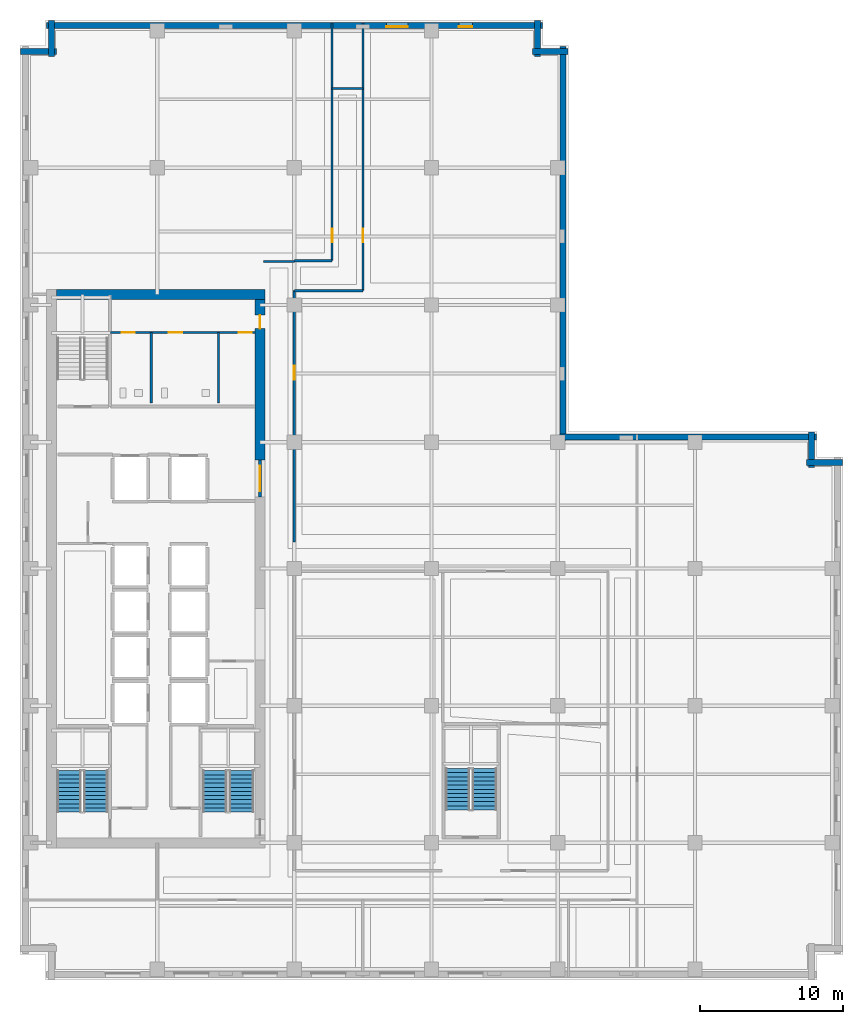
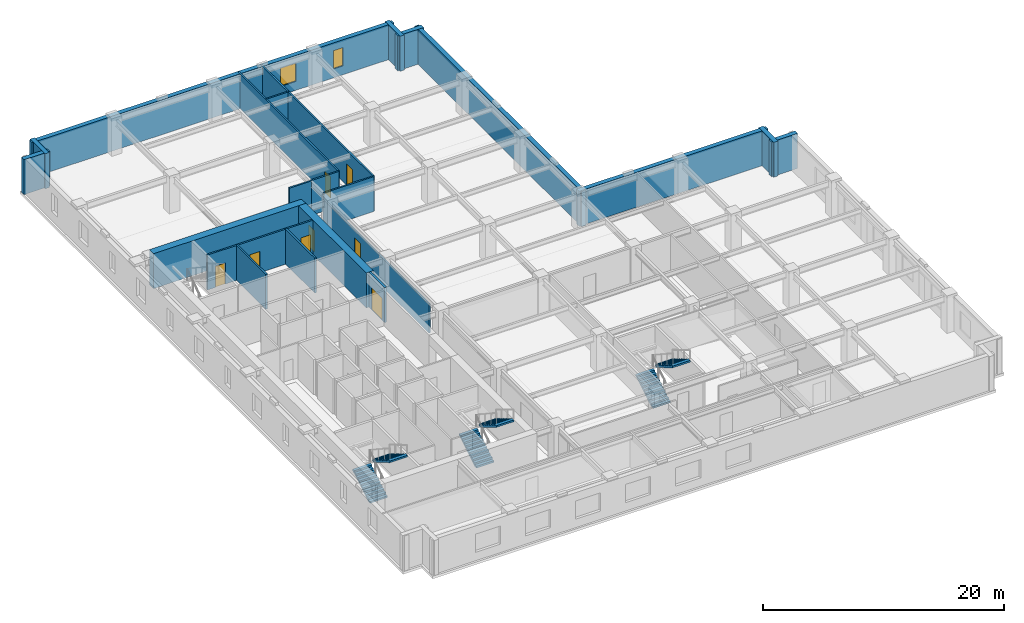
# One storey, part 7 of 13: 22 walls, 8 doors, 6 stair flights, 2 windows, 10 openings, 3 elements without a shape of their own.
"""IFC4 building model written with IfcOpenShell, lengths in metres."""

import ifcopenshell
import ifcopenshell.guid

model = None  # the IFC model being written
_history = None  # IfcOwnerHistory: only IFC2X3 demands one
_inside = {}  # id of a spatial element -> (the spatial element, [elements in it])
_under = {}  # id of a project, library or spatial element -> (it, [spatial elements below it])
_declared = {}  # id of a project -> (the project, [libraries it declares])
_typed = {}  # id of a type object -> (the type object, [elements of that type])
_made_of = {}  # id of a material, layer set ... -> (it, [elements and type objects made of it])


def new_model(schema):
    """Start an empty IFC model of exactly this schema.

    Asked for "IFC4X3", IfcOpenShell would pick the latest addendum, in which some entities
    have other attributes; the version numbers below select the first issue.
    IFC2X3 requires an IfcOwnerHistory on every rooted entity: one is made here for all.
    """
    global model, _history
    if schema == "IFC4X3":
        model = ifcopenshell.file(schema_version=(4, 3, 0, 0))
    else:
        model = ifcopenshell.file(schema=schema)
    _inside.clear()
    _under.clear()
    _declared.clear()
    _typed.clear()
    _made_of.clear()
    _history = None
    if model.schema == "IFC2X3":
        org = make("IfcOrganization", Name="unknown")
        user = make(
            "IfcPersonAndOrganization",
            ThePerson=make("IfcPerson", FamilyName="unknown"),
            TheOrganization=org,
        )
        app = make(
            "IfcApplication",
            ApplicationDeveloper=org,
            Version="unknown",
            ApplicationFullName="unknown",
            ApplicationIdentifier="unknown",
        )
        _history = make(
            "IfcOwnerHistory",
            OwningUser=user,
            OwningApplication=app,
            ChangeAction="ADDED",
            CreationDate=0,
        )
    return model


def make(cls, **values):
    """One entity of the class cls with the attributes given. An attribute that is None is left unset."""
    return model.create_entity(
        cls, **{name: value for name, value in values.items() if value is not None}
    )


def rooted(cls, **values):
    """An entity with a GlobalId (a new one), such as an element, a storey or a relation."""
    return make(cls, GlobalId=ifcopenshell.guid.new(), OwnerHistory=_history, **values)


def si_unit(unit_type, name, prefix=None):
    """IfcSIUnit, for example si_unit("LENGTHUNIT", "METRE", prefix="MILLI")."""
    return make("IfcSIUnit", UnitType=unit_type, Prefix=prefix, Name=name)


def assignment(units):
    """IfcUnitAssignment: the units of a project."""
    return None if units is None else make("IfcUnitAssignment", Units=units)


def point(xyz):
    """IfcCartesianPoint."""
    return None if xyz is None else make("IfcCartesianPoint", Coordinates=xyz)


def direction(xyz):
    """IfcDirection."""
    return None if xyz is None else make("IfcDirection", DirectionRatios=xyz)


def frame(location, z_axis=None, x_axis=None):
    """IfcAxis2Placement3D, a coordinate frame: its origin and axes. An axis left out is left unset."""
    return make(
        "IfcAxis2Placement3D",
        Location=point(location),
        Axis=direction(z_axis),
        RefDirection=direction(x_axis),
    )


def frame_2d(location, x_axis=None):
    """IfcAxis2Placement2D, a coordinate frame in the plane: its origin and x axis."""
    return make(
        "IfcAxis2Placement2D", Location=point(location), RefDirection=direction(x_axis)
    )


def origin():
    """The frame at (0, 0, 0) with its axes left unset."""
    return frame((0.0, 0.0, 0.0))


def place(relative_to, where):
    """IfcLocalPlacement: puts the frame where relative to a parent placement (None: the world)."""
    return make(
        "IfcLocalPlacement", PlacementRelTo=relative_to, RelativePlacement=where
    )


def context(
    kind, dimensions, precision=None, world=None, true_north=None, identifier=None
):
    """IfcGeometricRepresentationContext, for example the 3D "Model" context."""
    return make(
        "IfcGeometricRepresentationContext",
        ContextIdentifier=identifier,
        ContextType=kind,
        CoordinateSpaceDimension=dimensions,
        Precision=precision,
        WorldCoordinateSystem=world,
        TrueNorth=true_north,
    )


def subcontext(parent, identifier, kind, view, scale=None):
    """IfcGeometricRepresentationSubContext, for example "Body" below "Model"."""
    return make(
        "IfcGeometricRepresentationSubContext",
        ContextIdentifier=identifier,
        ContextType=kind,
        ParentContext=parent,
        TargetScale=scale,
        TargetView=view,
    )


def project(units=None, contexts=None):
    """IfcProject with its units and contexts."""
    return rooted(
        "IfcProject",
        Name="project",
        RepresentationContexts=contexts,
        UnitsInContext=assignment(units),
    )


def spatial(cls, under=None, at=None, **own):
    """A site, building, storey or space (cls), placed at a placement, below another one or the project."""
    s = rooted(cls, ObjectPlacement=at, **own)
    if under is not None:
        _under.setdefault(under.id(), (under, []))[1].append(s)
    return s


def polyline(points):
    """IfcPolyline through the points."""
    return make("IfcPolyline", Points=[point(p) for p in points])


def profile(cls, at=None, kind="AREA", **sizes):
    """A parametric profile (cls). Its sizes go by their IFC names, for example OverallWidth=200.0."""
    return make(cls, ProfileType=kind, Position=at, **sizes)


def rectangle(**sizes):
    """IfcRectangleProfileDef."""
    return profile("IfcRectangleProfileDef", **sizes)


def outline(outer, holes=None, kind="AREA"):
    """IfcArbitraryClosedProfileDef: a profile drawn as a closed curve; with holes, ...WithVoids."""
    if holes is None:
        return make("IfcArbitraryClosedProfileDef", ProfileType=kind, OuterCurve=outer)
    return make(
        "IfcArbitraryProfileDefWithVoids",
        ProfileType=kind,
        OuterCurve=outer,
        InnerCurves=holes,
    )


def extrude(swept, where, along, depth):
    """IfcExtrudedAreaSolid: the profile swept, set in the frame where, extruded along a direction by depth."""
    return make(
        "IfcExtrudedAreaSolid",
        SweptArea=swept,
        Position=where,
        ExtrudedDirection=direction(along),
        Depth=depth,
    )


def shape(context_of_items, identifier, shape_type, items):
    """IfcShapeRepresentation: the items that make up one representation, for example the "Body"."""
    return make(
        "IfcShapeRepresentation",
        ContextOfItems=context_of_items,
        RepresentationIdentifier=identifier,
        RepresentationType=shape_type,
        Items=items,
    )


def material(Name=None, Category=None):
    """IfcMaterial."""
    return make("IfcMaterial", Name=Name, Category=Category)


def layer(
    of_material, thickness, ventilated=None, Name=None, Category=None, Priority=None
):
    """IfcMaterialLayer: one layer of a wall or slab, of a material (None: an air gap)."""
    return make(
        "IfcMaterialLayer",
        Material=of_material,
        LayerThickness=thickness,
        IsVentilated=ventilated,
        Name=Name,
        Category=Category,
        Priority=Priority,
    )


def layer_set(layers, Name=None):
    """IfcMaterialLayerSet."""
    return make("IfcMaterialLayerSet", MaterialLayers=layers, LayerSetName=Name)


def made_of(thing, what):
    """Note that an element or type object is made of a material, layer set ...; save() writes the relation."""
    if what is not None:
        _made_of.setdefault(what.id(), (what, []))[1].append(thing)
    return thing


def type_object(cls, material=None, **own):
    """A type object (cls), such as IfcWallType, which elements share."""
    return made_of(rooted(cls, **own), material)


def element(
    cls,
    number,
    at=None,
    inside=None,
    cuts=None,
    type_object=None,
    material=None,
    context=None,
    identifier="Body",
    shape_type=None,
    held_by="IfcProductDefinitionShape",
    body=None,
    shapes=None,
    **own,
):
    """One element of the class cls, such as IfcWall. Its Tag is "e" and its number.

    at: its placement. inside: the storey or other place that contains it. cuts: it is an
    opening in that element (IfcRelVoidsElement). A single representation is given by context,
    identifier, shape_type and body (its items); several are given by shapes. held_by: the class
    of the entity that holds the representations. save() writes the other relations.
    """
    e = rooted(cls, Tag="e%d" % number, ObjectPlacement=at, **own)
    if body is not None:
        shapes = [shape(context, identifier, shape_type, body)]
    if shapes is not None:
        e.Representation = make(held_by, Representations=shapes)
    if inside is not None:
        _inside.setdefault(inside.id(), (inside, []))[1].append(e)
    if cuts is not None:
        rooted(
            "IfcRelVoidsElement", RelatingBuildingElement=cuts, RelatedOpeningElement=e
        )
    if type_object is not None:
        _typed.setdefault(type_object.id(), (type_object, []))[1].append(e)
    return made_of(e, material)


def fill(opening, filler):
    """IfcRelFillsElement: the door or window that sits in an opening."""
    return rooted(
        "IfcRelFillsElement",
        RelatingOpeningElement=opening,
        RelatedBuildingElement=filler,
    )


def aggregate(whole, parts):
    """IfcRelAggregates: a whole, such as a stair, and the parts it consists of."""
    return rooted("IfcRelAggregates", RelatingObject=whole, RelatedObjects=parts)


def save(model, path):
    """Write the relations noted so far, then the file.

    IfcRelAggregates (storeys below a building ...), IfcRelContainedInSpatialStructure (elements
    in a storey), IfcRelDefinesByType, IfcRelAssociatesMaterial and IfcRelDeclares: one each for
    every whole, place, type object, material and project.
    """
    for whole, parts in _under.values():
        aggregate(whole, parts)
    for where, things in _inside.values():
        rooted(
            "IfcRelContainedInSpatialStructure",
            RelatedElements=things,
            RelatingStructure=where,
        )
    for kind, things in _typed.values():
        rooted("IfcRelDefinesByType", RelatedObjects=things, RelatingType=kind)
    for what, things in _made_of.values():
        rooted("IfcRelAssociatesMaterial", RelatedObjects=things, RelatingMaterial=what)
    for by, libraries in _declared.values():
        rooted("IfcRelDeclares", RelatingContext=by, RelatedDefinitions=libraries)
    model.write(path)


model = new_model("IFC4")

# Units and contexts
model_context = context("Model", 3, precision=1e-05, world=origin(), true_north=direction((0.0, 1.0)))
body_context = subcontext(model_context, "Body", "Model", "MODEL_VIEW")
ifc_project = project(units=[si_unit("LENGTHUNIT", "METRE"), si_unit("AREAUNIT", "SQUARE_METRE"), si_unit("VOLUMEUNIT", "CUBIC_METRE"), si_unit("PLANEANGLEUNIT", "RADIAN"), si_unit("MASSUNIT", "GRAM", prefix="KILO")], contexts=[model_context])

# Site, building, storey
site_placement = place(None, origin())
site = spatial("IfcSite", under=ifc_project, at=site_placement, CompositionType="ELEMENT")
building_placement = place(site_placement, origin())
building = spatial("IfcBuilding", under=site, at=building_placement, Name="Norrvale University Quadrangle", CompositionType="ELEMENT")
storey_placement = place(building_placement, frame((0.0, 0.0, 131.800048828125)))
storey = spatial("IfcBuildingStorey", under=building, at=storey_placement, Name="L33", CompositionType="ELEMENT", Elevation=131.800048828125)

# Walls
ifc_material_1 = material(Name="Buff Norman Clay Brick Masonry", Category="masonry")
ifc_layer_1 = layer(ifc_material_1, 0.419921875, Name="Buff Norman Clay Brick Masonry")
ifc_layer_set_1 = layer_set([ifc_layer_1], Name="Buff Norman Clay Brick Masonry")
wall_type_1 = type_object("IfcWallType", Name="Wall Buff Brick 420", PredefinedType="SOLIDWALL", material=ifc_layer_set_1)
for number, where, z_axis, x_axis, name in (
    (1, (57.56005859375, 36.2099609375, 0.0), (0.0, 0.0, 1.0), (-1.0, 0.0, 0.0), "Exterior Brick Facade Wall L33-05.1"),
    (2, (55.409912109375, 35.860107421875, 0.0), (0.0, 0.0, 1.0), (0.0, 1.0, 0.0), "Exterior Brick Facade Wall L33-06.1"),
):
    element("IfcWall", number, at=place(storey_placement, frame(where, z_axis=z_axis, x_axis=x_axis)), inside=storey, type_object=wall_type_1, Name=name, PredefinedType="SOLIDWALL", context=body_context, shape_type="SweptSolid", body=[
        extrude(rectangle(XDim=2.5, YDim=0.419921875, at=frame_2d((1.25, 0.0))), origin(), (0.0, 0.0, 1.0), 3.5400390625),
    ])
wall_1_placement = place(storey_placement, frame((55.760009765625, 38.010009765625, 0.0), z_axis=(0.0, 0.0, 1.0), x_axis=(-1.0, 0.0, 0.0)))
element("IfcWall", 3, at=wall_1_placement, inside=storey, type_object=wall_type_1, Name="Exterior Brick Facade Wall L33-07.1", PredefinedType="SOLIDWALL", context=body_context, shape_type="SweptSolid", body=[
    extrude(rectangle(XDim=18.10009765625, YDim=0.419921875, at=frame_2d((9.050048828125, 0.0))), origin(), (0.0, 0.0, 1.0), 3.5400390625),
])
wall_2_placement = place(storey_placement, frame((38.010009765625, 37.659912109375, 0.0), z_axis=(0.0, 0.0, 1.0), x_axis=(0.0, 1.0, 0.0)))
element("IfcWall", 4, at=wall_2_placement, inside=storey, type_object=wall_type_1, Name="Exterior Brick Facade Wall L33-08.1", PredefinedType="SOLIDWALL", context=body_context, shape_type="SweptSolid", body=[
    extrude(rectangle(XDim=27.7001953125, YDim=0.419921875, at=frame_2d((13.85009765625, 0.0))), origin(), (0.0, 0.0, 1.0), 3.5400390625),
])
for number, where, z_axis, x_axis, name in (
    (5, (38.360107421875, 65.010009765625, 0.0), (0.0, 0.0, 1.0), (-1.0, 0.0, 0.0), "Exterior Brick Facade Wall L33-09.1"),
    (6, (36.2099609375, 64.659912109375, 0.0), (0.0, 0.0, 1.0), (0.0, 1.0, 0.0), "Exterior Brick Facade Wall L33-10.1"),
):
    element("IfcWall", number, at=place(storey_placement, frame(where, z_axis=z_axis, x_axis=x_axis)), inside=storey, type_object=wall_type_1, Name=name, PredefinedType="SOLIDWALL", context=body_context, shape_type="SweptSolid", body=[
        extrude(rectangle(XDim=2.5, YDim=0.419921875, at=frame_2d((1.25, 0.0))), origin(), (0.0, 0.0, 1.0), 3.5400390625),
    ])

# Wall, openings, windows
wall_3_placement = place(storey_placement, frame((36.56005859375, 66.81005859375, 0.0), z_axis=(0.0, 0.0, 1.0), x_axis=(-1.0, 0.0, 0.0)))
wall_3 = element("IfcWall", 7, at=wall_3_placement, inside=storey, type_object=wall_type_1, Name="Exterior Brick Facade Wall L33-11.1", PredefinedType="SOLIDWALL", context=body_context, shape_type="SweptSolid", body=[
    extrude(rectangle(XDim=34.719970703125, YDim=0.419921875, at=frame_2d((17.35986328125, 0.0))), origin(), (0.0, 0.0, 1.0), 3.5400390625),
])
opening_1_placement = place(wall_3_placement, frame((4.885009765625, 0.0, 0.89990234375)))
opening_1 = element("IfcOpeningElement", 8, at=opening_1_placement, cuts=wall_3, Name="Opening W04", PredefinedType="OPENING", context=body_context, shape_type="SweptSolid", body=[
    extrude(rectangle(XDim=0.949951171875, YDim=1.85009765625, at=frame_2d((0.47509765625, 0.925048828125))), frame((0.0, 0.221923828125, 0.0), z_axis=(0.0, -1.0, 0.0), x_axis=(1.0, 0.0, 0.0)), (0.0, 0.0, 1.0), 0.44384765625),
])
opening_2_placement = place(wall_3_placement, frame((9.409912109375, 0.0, 0.89990234375)))
opening_2 = element("IfcOpeningElement", 9, at=opening_2_placement, cuts=wall_3, Name="Opening W03", PredefinedType="OPENING", context=body_context, shape_type="SweptSolid", body=[
    extrude(rectangle(XDim=1.5, YDim=1.85009765625, at=frame_2d((0.75, 0.925048828125))), frame((0.0, 0.221923828125, 0.0), z_axis=(0.0, -1.0, 0.0), x_axis=(1.0, 0.0, 0.0)), (0.0, 0.0, 1.0), 0.44384765625),
])
ifc_material_2 = material(Name="Triple Low-E Argon Glazing", Category="glass")
window_type_1 = type_object("IfcWindowType", Name="Window Narrow Pier 950x2300", PartitioningType="SINGLE_PANEL", PredefinedType="WINDOW", material=ifc_material_2)
window_1_placement = place(opening_1_placement, origin())
window_1 = element("IfcWindow", 10, at=window_1_placement, inside=storey, type_object=window_type_1, Name="Window Narrow Pier 950x2300 WIN-L33-E11-1-01", OverallHeight=1.85009765625, OverallWidth=0.949951171875, PartitioningType="SINGLE_PANEL", PredefinedType="WINDOW", context=body_context, shape_type="SweptSolid", body=[
    extrude(rectangle(XDim=0.949951171875, YDim=1.85009765625, at=frame_2d((0.47509765625, 0.925048828125))), frame((0.0, 0.110107421875, 0.0), z_axis=(0.0, -1.0, 0.0), x_axis=(1.0, 0.0, 0.0)), (0.0, 0.0, 1.0), 0.06005859375),
])
fill(opening_1, window_1)
window_type_2 = type_object("IfcWindowType", Name="Window Studio 1500x2300", PartitioningType="DOUBLE_PANEL_VERTICAL", PredefinedType="WINDOW", material=ifc_material_2)
window_2_placement = place(opening_2_placement, origin())
window_2 = element("IfcWindow", 11, at=window_2_placement, inside=storey, type_object=window_type_2, Name="Window Studio 1500x2300 WIN-L33-E11-1-02", OverallHeight=1.85009765625, OverallWidth=1.5, PartitioningType="DOUBLE_PANEL_VERTICAL", PredefinedType="WINDOW", context=body_context, shape_type="SweptSolid", body=[
    extrude(rectangle(XDim=1.5, YDim=1.85009765625, at=frame_2d((0.75, 0.925048828125))), frame((0.0, 0.110107421875, 0.0), z_axis=(0.0, -1.0, 0.0), x_axis=(1.0, 0.0, 0.0)), (0.0, 0.0, 1.0), 0.06005859375),
])
fill(opening_2, window_2)

# Walls
for number, where, z_axis, x_axis, name in (
    (12, (2.18994140625, 67.159912109375, 0.0), (0.0, 0.0, 1.0), (0.0, -1.0, 0.0), "Exterior Brick Facade Wall L33-12.1"),
    (13, (2.5400390625, 65.010009765625, 0.0), (0.0, 0.0, 1.0), (-1.0, 0.0, 0.0), "Exterior Brick Facade Wall L33-13.1"),
):
    element("IfcWall", number, at=place(storey_placement, frame(where, z_axis=z_axis, x_axis=x_axis)), inside=storey, type_object=wall_type_1, Name=name, PredefinedType="SOLIDWALL", context=body_context, shape_type="SweptSolid", body=[
        extrude(rectangle(XDim=2.5, YDim=0.419921875, at=frame_2d((1.25, 0.0))), origin(), (0.0, 0.0, 1.0), 3.5400390625),
    ])
ifc_material_3 = material(Name="Concrete C60/75", Category="concrete")
ifc_layer_2 = layer(ifc_material_3, 0.699951171875, Name="Concrete C60/75")
ifc_layer_set_2 = layer_set([ifc_layer_2], Name="Concrete C60/75")
wall_type_2 = type_object("IfcWallType", Name="Wall Core 700", PredefinedType="SHEAR", material=ifc_layer_set_2)
wall_4_placement = place(storey_placement, frame((2.550048828125, 48.0, 0.0), z_axis=(0.0, 0.0, 1.0), x_axis=(1.0, 0.0, 0.0)))
element("IfcWall", 14, at=wall_4_placement, inside=storey, type_object=wall_type_2, Name="Tower Core Shear Wall L33-N", PredefinedType="SHEAR", context=body_context, shape_type="SweptSolid", body=[
    extrude(rectangle(XDim=14.599853515625, YDim=0.699951171875, at=frame_2d((7.2998046875, 0.0))), origin(), (0.0, 0.0, 1.0), 3.5400390625),
])

# Wall, opening, door
wall_5_placement = place(storey_placement, frame((16.800048828125, 36.39990234375, 0.0), z_axis=(0.0, 0.0, 1.0), x_axis=(0.0, 1.0, 0.0)))
wall_5 = element("IfcWall", 15, at=wall_5_placement, inside=storey, type_object=wall_type_2, Name="Tower Core Shear Wall L33-E3", PredefinedType="SHEAR", context=body_context, shape_type="SweptSolid", body=[
    extrude(rectangle(XDim=11.25, YDim=0.699951171875, at=frame_2d((5.625, 0.0))), origin(), (0.0, 0.0, 1.0), 3.5400390625),
])
opening_3_placement = place(wall_5_placement, frame((9.199951171875, 0.0, 0.0)))
opening_3 = element("IfcOpeningElement", 16, at=opening_3_placement, cuts=wall_5, Name="Opening D07", PredefinedType="OPENING", context=body_context, shape_type="SweptSolid", body=[
    extrude(rectangle(XDim=0.949951171875, YDim=2.14990234375, at=frame_2d((0.47509765625, 1.074951171875))), frame((0.0, 0.362060546875, 0.0), z_axis=(0.0, -1.0, 0.0), x_axis=(1.0, 0.0, 0.0)), (0.0, 0.0, 1.0), 0.723876953125),
])
ifc_material_4 = material(Name="Solid-Core Maple Door", Category="wood")
door_type_1 = type_object("IfcDoorType", Name="Door Office 950x2150", OperationType="NOTDEFINED", PredefinedType="DOOR", material=ifc_material_4)
door_1_placement = place(opening_3_placement, origin())
door_1 = element("IfcDoor", 17, at=door_1_placement, inside=storey, type_object=door_type_1, Name="Door Office 950x2150 DR-L33-NECORR", OperationType="SINGLE_SWING_RIGHT", OverallHeight=2.14990234375, OverallWidth=0.949951171875, PredefinedType="DOOR", context=body_context, shape_type="SweptSolid", body=[
    extrude(rectangle(XDim=0.949951171875, YDim=2.14990234375, at=frame_2d((0.47509765625, 1.074951171875))), frame((0.0, 0.02490234375, 0.0), z_axis=(0.0, -1.0, 0.0), x_axis=(1.0, 0.0, 0.0)), (0.0, 0.0, 1.0), 0.050048828125),
])
fill(opening_3, door_1)

# Wall
ifc_material_5 = material(Name="Fire-Rated Gypsum Stud Partition")
ifc_layer_3 = layer(ifc_material_5, 0.14990234375, Name="Fire-Rated Gypsum Stud Partition")
ifc_layer_set_3 = layer_set([ifc_layer_3], Name="Fire-Rated Gypsum Stud Partition")
wall_type_3 = type_object("IfcWallType", Name="Wall Gypsum Corridor 150", PredefinedType="PARTITIONING", material=ifc_layer_set_3)
wall_6_placement = place(storey_placement, frame((17.050048828125, 50.300048828125, 0.0), z_axis=(0.0, 0.0, 1.0), x_axis=(1.0, 0.0, 0.0)))
element("IfcWall", 18, at=wall_6_placement, inside=storey, type_object=wall_type_3, Name="Interior Partition WL-L33-CN-END", PredefinedType="PARTITIONING", context=body_context, shape_type="SweptSolid", body=[
    extrude(rectangle(XDim=2.14990234375, YDim=0.14990234375, at=frame_2d((1.074951171875, 0.0))), origin(), (0.0, 0.0, 1.0), 3.5400390625),
])

# Wall, opening, door
wall_7_placement = place(storey_placement, frame((19.199951171875, 30.64990234375, 0.0), z_axis=(0.0, 0.0, 1.0), x_axis=(0.0, 1.0, 0.0)))
wall_7 = element("IfcWall", 19, at=wall_7_placement, inside=storey, type_object=wall_type_3, Name="Interior Partition WL-L33-MNECW", PredefinedType="PARTITIONING", context=body_context, shape_type="SweptSolid", body=[
    extrude(rectangle(XDim=17.60009765625, YDim=0.14990234375, at=frame_2d((8.800048828125, 0.0))), origin(), (0.0, 0.0, 1.0), 2.9228515625),
])
opening_4_placement = place(wall_7_placement, frame((11.35009765625, 0.0, 0.0)))
opening_4 = element("IfcOpeningElement", 20, at=opening_4_placement, cuts=wall_7, Name="Opening D04", PredefinedType="OPENING", context=body_context, shape_type="SweptSolid", body=[
    extrude(rectangle(XDim=1.0, YDim=2.199951171875, at=frame_2d((0.5, 1.10009765625))), frame((0.0, 0.0869140625, 0.0), z_axis=(0.0, -1.0, 0.0), x_axis=(1.0, 0.0, 0.0)), (0.0, 0.0, 1.0), 0.173828125),
])
ifc_material_6 = material(Name="Solid-Core Oak Fire Door", Category="wood")
door_type_2 = type_object("IfcDoorType", Name="Door Corridor 1000x2200", OperationType="NOTDEFINED", PredefinedType="DOOR", material=ifc_material_6)
door_2_placement = place(opening_4_placement, origin())
door_2 = element("IfcDoor", 21, at=door_2_placement, inside=storey, type_object=door_type_2, Name="Door Corridor 1000x2200 DR-L33-MNE01", OperationType="SINGLE_SWING_RIGHT", OverallHeight=2.199951171875, OverallWidth=1.0, PredefinedType="DOOR", context=body_context, shape_type="SweptSolid", body=[
    extrude(rectangle(XDim=1.0, YDim=2.199951171875, at=frame_2d((0.5, 1.10009765625))), frame((0.0, 0.02490234375, 0.0), z_axis=(0.0, -1.0, 0.0), x_axis=(1.0, 0.0, 0.0)), (0.0, 0.0, 1.0), 0.050048828125),
])
fill(opening_4, door_2)

# Walls
wall_8_placement = place(storey_placement, frame((19.199951171875, 48.25, 0.0), z_axis=(0.0, 0.0, 1.0), x_axis=(1.0, 0.0, 0.0)))
element("IfcWall", 22, at=wall_8_placement, inside=storey, type_object=wall_type_3, Name="Interior Partition WL-L33-JOGS", PredefinedType="PARTITIONING", context=body_context, shape_type="SweptSolid", body=[
    extrude(rectangle(XDim=4.800048828125, YDim=0.14990234375, at=frame_2d((2.39990234375, 0.0))), origin(), (0.0, 0.0, 1.0), 3.5400390625),
])
wall_9_placement = place(storey_placement, frame((19.199951171875, 50.35009765625, 0.0), z_axis=(0.0, 0.0, 1.0), x_axis=(1.0, 0.0, 0.0)))
element("IfcWall", 23, at=wall_9_placement, inside=storey, type_object=wall_type_3, Name="Interior Partition WL-L33-JOGN", PredefinedType="PARTITIONING", context=body_context, shape_type="SweptSolid", body=[
    extrude(rectangle(XDim=2.650146484375, YDim=0.14990234375, at=frame_2d((1.3251953125, 0.0))), origin(), (0.0, 0.0, 1.0), 3.5400390625),
])
wall_10_placement = place(storey_placement, frame((21.85009765625, 62.39990234375, 0.0), z_axis=(0.0, 0.0, 1.0), x_axis=(1.0, 0.0, 0.0)))
element("IfcWall", 24, at=wall_10_placement, inside=storey, type_object=wall_type_3, Name="Interior Partition WL-L33-JOGEND", PredefinedType="PARTITIONING", context=body_context, shape_type="SweptSolid", body=[
    extrude(rectangle(XDim=2.14990234375, YDim=0.14990234375, at=frame_2d((1.074951171875, 0.0))), origin(), (0.0, 0.0, 1.0), 3.5400390625),
])

# Wall, opening, door
wall_11_placement = place(storey_placement, frame((24.0, 48.25, 0.0), z_axis=(0.0, 0.0, 1.0), x_axis=(0.0, 1.0, 0.0)))
wall_11 = element("IfcWall", 25, at=wall_11_placement, inside=storey, type_object=wall_type_3, Name="Interior Partition WL-L33-NECW", PredefinedType="PARTITIONING", context=body_context, shape_type="SweptSolid", body=[
    extrude(rectangle(XDim=18.72998046875, YDim=0.14990234375, at=frame_2d((9.364990234375, 0.0))), origin(), (0.0, 0.0, 1.0), 3.5400390625),
])
opening_5_placement = place(wall_11_placement, frame((3.39990234375, 0.0, 0.0)))
opening_5 = element("IfcOpeningElement", 26, at=opening_5_placement, cuts=wall_11, Name="Opening D07", PredefinedType="OPENING", context=body_context, shape_type="SweptSolid", body=[
    extrude(rectangle(XDim=0.949951171875, YDim=2.14990234375, at=frame_2d((0.47509765625, 1.074951171875))), frame((0.0, 0.0869140625, 0.0), z_axis=(0.0, -1.0, 0.0), x_axis=(1.0, 0.0, 0.0)), (0.0, 0.0, 1.0), 0.173828125),
])
door_3_placement = place(opening_5_placement, origin())
door_3 = element("IfcDoor", 27, at=door_3_placement, inside=storey, type_object=door_type_1, Name="Door Office 950x2150 DR-L33-NE01", OperationType="SINGLE_SWING_RIGHT", OverallHeight=2.14990234375, OverallWidth=0.949951171875, PredefinedType="DOOR", context=body_context, shape_type="SweptSolid", body=[
    extrude(rectangle(XDim=0.949951171875, YDim=2.14990234375, at=frame_2d((0.47509765625, 1.074951171875))), frame((0.0, 0.02490234375, 0.0), z_axis=(0.0, -1.0, 0.0), x_axis=(1.0, 0.0, 0.0)), (0.0, 0.0, 1.0), 0.050048828125),
])
fill(opening_5, door_3)

wall_12_placement = place(storey_placement, frame((21.85009765625, 50.35009765625, 0.0), z_axis=(0.0, 0.0, 1.0), x_axis=(0.0, 1.0, 0.0)))
wall_12 = element("IfcWall", 28, at=wall_12_placement, inside=storey, type_object=wall_type_3, Name="Interior Partition WL-L33-NWCW", PredefinedType="PARTITIONING", context=body_context, shape_type="SweptSolid", body=[
    extrude(rectangle(XDim=16.6298828125, YDim=0.14990234375, at=frame_2d((8.31494140625, 0.0))), origin(), (0.0, 0.0, 1.0), 3.5400390625),
])
opening_6_placement = place(wall_12_placement, frame((1.300048828125, 0.0, 0.0)))
opening_6 = element("IfcOpeningElement", 29, at=opening_6_placement, cuts=wall_12, Name="Opening D07", PredefinedType="OPENING", context=body_context, shape_type="SweptSolid", body=[
    extrude(rectangle(XDim=0.949951171875, YDim=2.14990234375, at=frame_2d((0.47509765625, 1.074951171875))), frame((0.0, 0.0869140625, 0.0), z_axis=(0.0, -1.0, 0.0), x_axis=(1.0, 0.0, 0.0)), (0.0, 0.0, 1.0), 0.173828125),
])
door_4_placement = place(opening_6_placement, origin())
door_4 = element("IfcDoor", 30, at=door_4_placement, inside=storey, type_object=door_type_1, Name="Door Office 950x2150 DR-L33-NW01", OperationType="SINGLE_SWING_RIGHT", OverallHeight=2.14990234375, OverallWidth=0.949951171875, PredefinedType="DOOR", context=body_context, shape_type="SweptSolid", body=[
    extrude(rectangle(XDim=0.949951171875, YDim=2.14990234375, at=frame_2d((0.47509765625, 1.074951171875))), frame((0.0, 0.02490234375, 0.0), z_axis=(0.0, -1.0, 0.0), x_axis=(1.0, 0.0, 0.0)), (0.0, 0.0, 1.0), 0.050048828125),
])
fill(opening_6, door_4)

# Wall, openings, doors
ifc_material_7 = material(Name="Sanitary Chase Gypsum Partition")
ifc_layer_4 = layer(ifc_material_7, 0.1650390625, Name="Sanitary Chase Gypsum Partition")
ifc_layer_set_4 = layer_set([ifc_layer_4], Name="Sanitary Chase Gypsum Partition")
wall_type_4 = type_object("IfcWallType", Name="Wall Gypsum Sanitary 165", PredefinedType="PLUMBINGWALL", material=ifc_layer_set_4)
wall_13_placement = place(storey_placement, frame((6.320068359375, 45.320068359375, 0.0), z_axis=(0.0, 0.0, 1.0), x_axis=(1.0, 0.0, 0.0)))
wall_13 = element("IfcWall", 31, at=wall_13_placement, inside=storey, type_object=wall_type_4, Name="Interior Partition WL-L33-WCN", PredefinedType="PLUMBINGWALL", context=body_context, shape_type="SweptSolid", body=[
    extrude(rectangle(XDim=10.1298828125, YDim=0.1650390625, at=frame_2d((5.06494140625, 0.0))), origin(), (0.0, 0.0, 1.0), 3.5400390625),
])
opening_7_placement = place(wall_13_placement, frame((0.800048828125, 0.0, 0.0)))
opening_7 = element("IfcOpeningElement", 32, at=opening_7_placement, cuts=wall_13, Name="Opening D08", PredefinedType="OPENING", context=body_context, shape_type="SweptSolid", body=[
    extrude(rectangle(XDim=0.919921875, YDim=2.14990234375, at=frame_2d((0.4599609375, 1.074951171875))), frame((0.0, 0.094482421875, 0.0), z_axis=(0.0, -1.0, 0.0), x_axis=(1.0, 0.0, 0.0)), (0.0, 0.0, 1.0), 0.18896484375),
])
opening_8_placement = place(wall_13_placement, frame((4.10009765625, 0.0, 0.0)))
opening_8 = element("IfcOpeningElement", 33, at=opening_8_placement, cuts=wall_13, Name="Opening D08", PredefinedType="OPENING", context=body_context, shape_type="SweptSolid", body=[
    extrude(rectangle(XDim=0.919921875, YDim=2.14990234375, at=frame_2d((0.4599609375, 1.074951171875))), frame((0.0, 0.094482421875, 0.0), z_axis=(0.0, -1.0, 0.0), x_axis=(1.0, 0.0, 0.0)), (0.0, 0.0, 1.0), 0.18896484375),
])
opening_9_placement = place(wall_13_placement, frame((8.97998046875, 0.0, 0.0)))
opening_9 = element("IfcOpeningElement", 34, at=opening_9_placement, cuts=wall_13, Name="Opening D08", PredefinedType="OPENING", context=body_context, shape_type="SweptSolid", body=[
    extrude(rectangle(XDim=0.919921875, YDim=2.14990234375, at=frame_2d((0.4599609375, 1.074951171875))), frame((0.0, 0.094482421875, 0.0), z_axis=(0.0, -1.0, 0.0), x_axis=(1.0, 0.0, 0.0)), (0.0, 0.0, 1.0), 0.18896484375),
])
ifc_material_8 = material(Name="Laminate Washroom Door", Category="wood")
door_type_3 = type_object("IfcDoorType", Name="Door Washroom 920x2150", OperationType="NOTDEFINED", PredefinedType="DOOR", material=ifc_material_8)
door_5_placement = place(opening_7_placement, origin())
door_5 = element("IfcDoor", 35, at=door_5_placement, inside=storey, type_object=door_type_3, Name="Door Washroom 920x2150 DR-L33-WC1", OperationType="SINGLE_SWING_LEFT", OverallHeight=2.14990234375, OverallWidth=0.919921875, PredefinedType="DOOR", context=body_context, shape_type="SweptSolid", body=[
    extrude(rectangle(XDim=0.919921875, YDim=2.14990234375, at=frame_2d((0.4599609375, 1.074951171875))), frame((0.0, 0.02490234375, 0.0), z_axis=(0.0, -1.0, 0.0), x_axis=(1.0, 0.0, 0.0)), (0.0, 0.0, 1.0), 0.050048828125),
])
fill(opening_7, door_5)
door_6_placement = place(opening_8_placement, origin())
door_6 = element("IfcDoor", 36, at=door_6_placement, inside=storey, type_object=door_type_3, Name="Door Washroom 920x2150 DR-L33-WC2", OperationType="SINGLE_SWING_RIGHT", OverallHeight=2.14990234375, OverallWidth=0.919921875, PredefinedType="DOOR", context=body_context, shape_type="SweptSolid", body=[
    extrude(rectangle(XDim=0.919921875, YDim=2.14990234375, at=frame_2d((0.4599609375, 1.074951171875))), frame((0.0, 0.02490234375, 0.0), z_axis=(0.0, -1.0, 0.0), x_axis=(1.0, 0.0, 0.0)), (0.0, 0.0, 1.0), 0.050048828125),
])
fill(opening_8, door_6)
door_7_placement = place(opening_9_placement, origin())
door_7 = element("IfcDoor", 37, at=door_7_placement, inside=storey, type_object=door_type_3, Name="Door Washroom 920x2150 DR-L33-WC3", OperationType="SINGLE_SWING_LEFT", OverallHeight=2.14990234375, OverallWidth=0.919921875, PredefinedType="DOOR", context=body_context, shape_type="SweptSolid", body=[
    extrude(rectangle(XDim=0.919921875, YDim=2.14990234375, at=frame_2d((0.4599609375, 1.074951171875))), frame((0.0, 0.02490234375, 0.0), z_axis=(0.0, -1.0, 0.0), x_axis=(1.0, 0.0, 0.0)), (0.0, 0.0, 1.0), 0.050048828125),
])
fill(opening_9, door_7)

# Walls
for number, where, z_axis, x_axis, name in (
    (38, (9.199951171875, 40.39990234375, 0.0), (0.0, 0.0, 1.0), (0.0, 1.0, 0.0), "Interior Partition WL-L33-WCM1"),
    (39, (13.89990234375, 40.39990234375, 0.0), (0.0, 0.0, 1.0), (0.0, 1.0, 0.0), "Interior Partition WL-L33-WCM2"),
):
    element("IfcWall", number, at=place(storey_placement, frame(where, z_axis=z_axis, x_axis=x_axis)), inside=storey, type_object=wall_type_4, Name=name, PredefinedType="PLUMBINGWALL", context=body_context, shape_type="SweptSolid", body=[
        extrude(rectangle(XDim=4.920166015625, YDim=0.1650390625, at=frame_2d((2.4599609375, 0.0))), origin(), (0.0, 0.0, 1.0), 3.5400390625),
    ])

# Wall, opening, door
ifc_material_9 = material(Name="Concrete Blockwork 20 MPa Rated Wall", Category="masonry")
ifc_layer_5 = layer(ifc_material_9, 0.199951171875, Name="Concrete Blockwork 20 MPa Rated Wall")
ifc_layer_set_5 = layer_set([ifc_layer_5], Name="Concrete Blockwork 20 MPa Rated Wall")
wall_type_5 = type_object("IfcWallType", Name="Wall Lobby 200", PredefinedType="SOLIDWALL", material=ifc_layer_set_5)
wall_14_placement = place(storey_placement, frame((16.800048828125, 33.800048828125, 0.0), z_axis=(0.0, 0.0, 1.0), x_axis=(0.0, 1.0, 0.0)))
wall_14 = element("IfcWall", 40, at=wall_14_placement, inside=storey, type_object=wall_type_5, Name="Interior Partition WL-L33-FFP", PredefinedType="SOLIDWALL", context=body_context, shape_type="SweptSolid", body=[
    extrude(rectangle(XDim=2.599853515625, YDim=0.199951171875, at=frame_2d((1.2998046875, 0.0))), origin(), (0.0, 0.0, 1.0), 3.5400390625),
])
opening_10_placement = place(wall_14_placement, frame((0.39990234375, 0.0, 0.0)))
opening_10 = element("IfcOpeningElement", 41, at=opening_10_placement, cuts=wall_14, Name="Opening D03", PredefinedType="OPENING", context=body_context, shape_type="SweptSolid", body=[
    extrude(rectangle(XDim=1.800048828125, YDim=2.199951171875, at=frame_2d((0.89990234375, 1.10009765625))), frame((0.0, 0.112060546875, 0.0), z_axis=(0.0, -1.0, 0.0), x_axis=(1.0, 0.0, 0.0)), (0.0, 0.0, 1.0), 0.223876953125),
])
ifc_material_10 = material(Name="Hollow Steel 350W Fire Door", Category="steel")
door_type_4 = type_object("IfcDoorType", Name="Door Fire Lobby 1800x2200", OperationType="DOUBLE_DOOR_SINGLE_SWING", PredefinedType="DOOR", material=ifc_material_10)
door_8_placement = place(opening_10_placement, origin())
door_8 = element("IfcDoor", 42, at=door_8_placement, inside=storey, type_object=door_type_4, Name="Door Fire Lobby 1800x2200 DR-L33-FFP", OperationType="DOUBLE_DOOR_SINGLE_SWING", OverallHeight=2.199951171875, OverallWidth=1.800048828125, PredefinedType="DOOR", context=body_context, shape_type="SweptSolid", body=[
    extrude(rectangle(XDim=1.800048828125, YDim=2.199951171875, at=frame_2d((0.89990234375, 1.10009765625))), frame((0.0, 0.02490234375, 0.0), z_axis=(0.0, -1.0, 0.0), x_axis=(1.0, 0.0, 0.0)), (0.0, 0.0, 1.0), 0.050048828125),
])
fill(opening_10, door_8)

# Stair, stair flights
ifc_material_11 = material(Name="Concrete C40/50", Category="concrete")
stair_type = type_object("IfcStairType", Name="Stair Tower Typ 3800", PredefinedType="TWO_STRAIGHT_RUN_STAIR", material=ifc_material_11)
stair_1_placement = place(storey_placement, origin())
stair_1 = element("IfcStair", 43, at=stair_1_placement, inside=storey, type_object=stair_type, Name="Exit Stair ST-01 L33", PredefinedType="TWO_STRAIGHT_RUN_STAIR")
stair_flight_type = type_object("IfcStairFlightType", Name="Flight Typ 1500", PredefinedType="STRAIGHT", material=ifc_material_11)
stair_flight_1_placement = place(storey_placement, frame((3.429931640625, 11.75, 0.0), z_axis=(0.0, 0.0, 1.0), x_axis=(0.0, 1.0, 0.0)))
stair_flight_1 = element("IfcStairFlight", 44, at=stair_flight_1_placement, type_object=stair_flight_type, Name="Exit Stair ST-01 L33 Lower Flight", NumberOfRisers=11, NumberOfTreads=10, PredefinedType="STRAIGHT", RiserHeight=0.172727, TreadLength=0.29, context=body_context, shape_type="SweptSolid", body=[
    extrude(outline(polyline([(0.0, 0.0), (0.0, 0.172607421875), (0.2900390625, 0.172607421875), (0.2900390625, 0.345458984375), (0.580078125, 0.345458984375), (0.580078125, 0.51806640625), (0.8701171875, 0.51806640625), (0.8701171875, 0.69091796875), (1.159912109375, 0.69091796875), (1.159912109375, 0.863525390625), (1.449951171875, 0.863525390625), (1.449951171875, 1.036376953125), (1.739990234375, 1.036376953125), (1.739990234375, 1.208984375), (2.030029296875, 1.208984375), (2.030029296875, 1.3818359375), (2.320068359375, 1.3818359375), (2.320068359375, 1.554443359375), (2.610107421875, 1.554443359375), (2.610107421875, 1.727294921875), (2.89990234375, 1.727294921875), (2.89990234375, 1.89990234375), (2.89990234375, 1.552734375), (0.29296875, 0.0), (0.0, 0.0)])), frame((0.0, 0.83984375, 0.0), z_axis=(0.0, -1.0, 0.0), x_axis=(1.0, 0.0, 0.0)), (0.0, 0.0, 1.0), 1.679931640625),
])
stair_flight_2_placement = place(storey_placement, frame((5.320068359375, 14.64990234375, 1.89990234375), z_axis=(0.0, 0.0, 1.0), x_axis=(0.0, -1.0, 0.0)))
stair_flight_2 = element("IfcStairFlight", 45, at=stair_flight_2_placement, type_object=stair_flight_type, Name="Exit Stair ST-01 L33 Upper Flight", NumberOfRisers=11, NumberOfTreads=10, PredefinedType="STRAIGHT", RiserHeight=0.172727, TreadLength=0.29, context=body_context, shape_type="SweptSolid", body=[
    extrude(outline(polyline([(0.0, 0.0), (0.0, 0.172607421875), (0.2900390625, 0.172607421875), (0.2900390625, 0.345458984375), (0.580078125, 0.345458984375), (0.580078125, 0.51806640625), (0.8701171875, 0.51806640625), (0.8701171875, 0.69091796875), (1.159912109375, 0.69091796875), (1.159912109375, 0.863525390625), (1.449951171875, 0.863525390625), (1.449951171875, 1.036376953125), (1.739990234375, 1.036376953125), (1.739990234375, 1.208984375), (2.030029296875, 1.208984375), (2.030029296875, 1.3818359375), (2.320068359375, 1.3818359375), (2.320068359375, 1.554443359375), (2.610107421875, 1.554443359375), (2.610107421875, 1.727294921875), (2.89990234375, 1.727294921875), (2.89990234375, 1.89990234375), (2.89990234375, 1.552734375), (0.29296875, 0.0), (0.0, 0.0)])), frame((0.0, 0.83984375, 0.0), z_axis=(0.0, -1.0, 0.0), x_axis=(1.0, 0.0, 0.0)), (0.0, 0.0, 1.0), 1.679931640625),
])
aggregate(stair_1, [stair_flight_1, stair_flight_2])

stair_2_placement = place(storey_placement, origin())
stair_2 = element("IfcStair", 46, at=stair_2_placement, inside=storey, type_object=stair_type, Name="Exit Stair ST-03 L33", PredefinedType="TWO_STRAIGHT_RUN_STAIR")
stair_flight_3_placement = place(storey_placement, frame((13.6298828125, 11.75, 0.0), z_axis=(0.0, 0.0, 1.0), x_axis=(0.0, 1.0, 0.0)))
stair_flight_3 = element("IfcStairFlight", 47, at=stair_flight_3_placement, type_object=stair_flight_type, Name="Exit Stair ST-03 L33 Lower Flight", NumberOfRisers=11, NumberOfTreads=10, PredefinedType="STRAIGHT", RiserHeight=0.172727, TreadLength=0.29, context=body_context, shape_type="SweptSolid", body=[
    extrude(outline(polyline([(0.0, 0.0), (0.0, 0.172607421875), (0.2900390625, 0.172607421875), (0.2900390625, 0.345458984375), (0.580078125, 0.345458984375), (0.580078125, 0.51806640625), (0.8701171875, 0.51806640625), (0.8701171875, 0.69091796875), (1.159912109375, 0.69091796875), (1.159912109375, 0.863525390625), (1.449951171875, 0.863525390625), (1.449951171875, 1.036376953125), (1.739990234375, 1.036376953125), (1.739990234375, 1.208984375), (2.030029296875, 1.208984375), (2.030029296875, 1.3818359375), (2.320068359375, 1.3818359375), (2.320068359375, 1.554443359375), (2.610107421875, 1.554443359375), (2.610107421875, 1.727294921875), (2.89990234375, 1.727294921875), (2.89990234375, 1.89990234375), (2.89990234375, 1.552734375), (0.29296875, 0.0), (0.0, 0.0)])), frame((0.0, 0.83984375, 0.0), z_axis=(0.0, -1.0, 0.0), x_axis=(1.0, 0.0, 0.0)), (0.0, 0.0, 1.0), 1.679931640625),
])
stair_flight_4_placement = place(storey_placement, frame((15.52001953125, 14.64990234375, 1.89990234375), z_axis=(0.0, 0.0, 1.0), x_axis=(0.0, -1.0, 0.0)))
stair_flight_4 = element("IfcStairFlight", 48, at=stair_flight_4_placement, type_object=stair_flight_type, Name="Exit Stair ST-03 L33 Upper Flight", NumberOfRisers=11, NumberOfTreads=10, PredefinedType="STRAIGHT", RiserHeight=0.172727, TreadLength=0.29, context=body_context, shape_type="SweptSolid", body=[
    extrude(outline(polyline([(0.0, 0.0), (0.0, 0.172607421875), (0.2900390625, 0.172607421875), (0.2900390625, 0.345458984375), (0.580078125, 0.345458984375), (0.580078125, 0.51806640625), (0.8701171875, 0.51806640625), (0.8701171875, 0.69091796875), (1.159912109375, 0.69091796875), (1.159912109375, 0.863525390625), (1.449951171875, 0.863525390625), (1.449951171875, 1.036376953125), (1.739990234375, 1.036376953125), (1.739990234375, 1.208984375), (2.030029296875, 1.208984375), (2.030029296875, 1.3818359375), (2.320068359375, 1.3818359375), (2.320068359375, 1.554443359375), (2.610107421875, 1.554443359375), (2.610107421875, 1.727294921875), (2.89990234375, 1.727294921875), (2.89990234375, 1.89990234375), (2.89990234375, 1.552734375), (0.29296875, 0.0), (0.0, 0.0)])), frame((0.0, 0.83984375, 0.0), z_axis=(0.0, -1.0, 0.0), x_axis=(1.0, 0.0, 0.0)), (0.0, 0.0, 1.0), 1.679931640625),
])
aggregate(stair_2, [stair_flight_3, stair_flight_4])

stair_3_placement = place(storey_placement, origin())
stair_3 = element("IfcStair", 49, at=stair_3_placement, inside=storey, type_object=stair_type, Name="Exit Stair ST-04 L33", PredefinedType="TWO_STRAIGHT_RUN_STAIR")
stair_flight_5_placement = place(storey_placement, frame((30.6298828125, 11.89990234375, 0.0), z_axis=(0.0, 0.0, 1.0), x_axis=(0.0, 1.0, 0.0)))
stair_flight_5 = element("IfcStairFlight", 50, at=stair_flight_5_placement, type_object=stair_flight_type, Name="Exit Stair ST-04 L33 Lower Flight", NumberOfRisers=11, NumberOfTreads=10, PredefinedType="STRAIGHT", RiserHeight=0.172727, TreadLength=0.29, context=body_context, shape_type="SweptSolid", body=[
    extrude(outline(polyline([(0.0, 0.0), (0.0, 0.172607421875), (0.2900390625, 0.172607421875), (0.2900390625, 0.345458984375), (0.580078125, 0.345458984375), (0.580078125, 0.51806640625), (0.8701171875, 0.51806640625), (0.8701171875, 0.69091796875), (1.159912109375, 0.69091796875), (1.159912109375, 0.863525390625), (1.449951171875, 0.863525390625), (1.449951171875, 1.036376953125), (1.739990234375, 1.036376953125), (1.739990234375, 1.208984375), (2.030029296875, 1.208984375), (2.030029296875, 1.3818359375), (2.320068359375, 1.3818359375), (2.320068359375, 1.554443359375), (2.610107421875, 1.554443359375), (2.610107421875, 1.727294921875), (2.89990234375, 1.727294921875), (2.89990234375, 1.89990234375), (2.89990234375, 1.552734375), (0.29296875, 0.0), (0.0, 0.0)])), frame((0.0, 0.83984375, 0.0), z_axis=(0.0, -1.0, 0.0), x_axis=(1.0, 0.0, 0.0)), (0.0, 0.0, 1.0), 1.679931640625),
])
stair_flight_6_placement = place(storey_placement, frame((32.52001953125, 14.800048828125, 1.89990234375), z_axis=(0.0, 0.0, 1.0), x_axis=(0.0, -1.0, 0.0)))
stair_flight_6 = element("IfcStairFlight", 51, at=stair_flight_6_placement, type_object=stair_flight_type, Name="Exit Stair ST-04 L33 Upper Flight", NumberOfRisers=11, NumberOfTreads=10, PredefinedType="STRAIGHT", RiserHeight=0.172727, TreadLength=0.29, context=body_context, shape_type="SweptSolid", body=[
    extrude(outline(polyline([(0.0, 0.0), (0.0, 0.172607421875), (0.2900390625, 0.172607421875), (0.2900390625, 0.345458984375), (0.580078125, 0.345458984375), (0.580078125, 0.51806640625), (0.8701171875, 0.51806640625), (0.8701171875, 0.69091796875), (1.159912109375, 0.69091796875), (1.159912109375, 0.863525390625), (1.449951171875, 0.863525390625), (1.449951171875, 1.036376953125), (1.739990234375, 1.036376953125), (1.739990234375, 1.208984375), (2.030029296875, 1.208984375), (2.030029296875, 1.3818359375), (2.320068359375, 1.3818359375), (2.320068359375, 1.554443359375), (2.610107421875, 1.554443359375), (2.610107421875, 1.727294921875), (2.89990234375, 1.727294921875), (2.89990234375, 1.89990234375), (2.89990234375, 1.552734375), (0.29296875, 0.0), (0.0, 0.0)])), frame((0.0, 0.83984375, 0.0), z_axis=(0.0, -1.0, 0.0), x_axis=(1.0, 0.0, 0.0)), (0.0, 0.0, 1.0), 1.679931640625),
])
aggregate(stair_3, [stair_flight_5, stair_flight_6])

save(model, "model.ifc")
